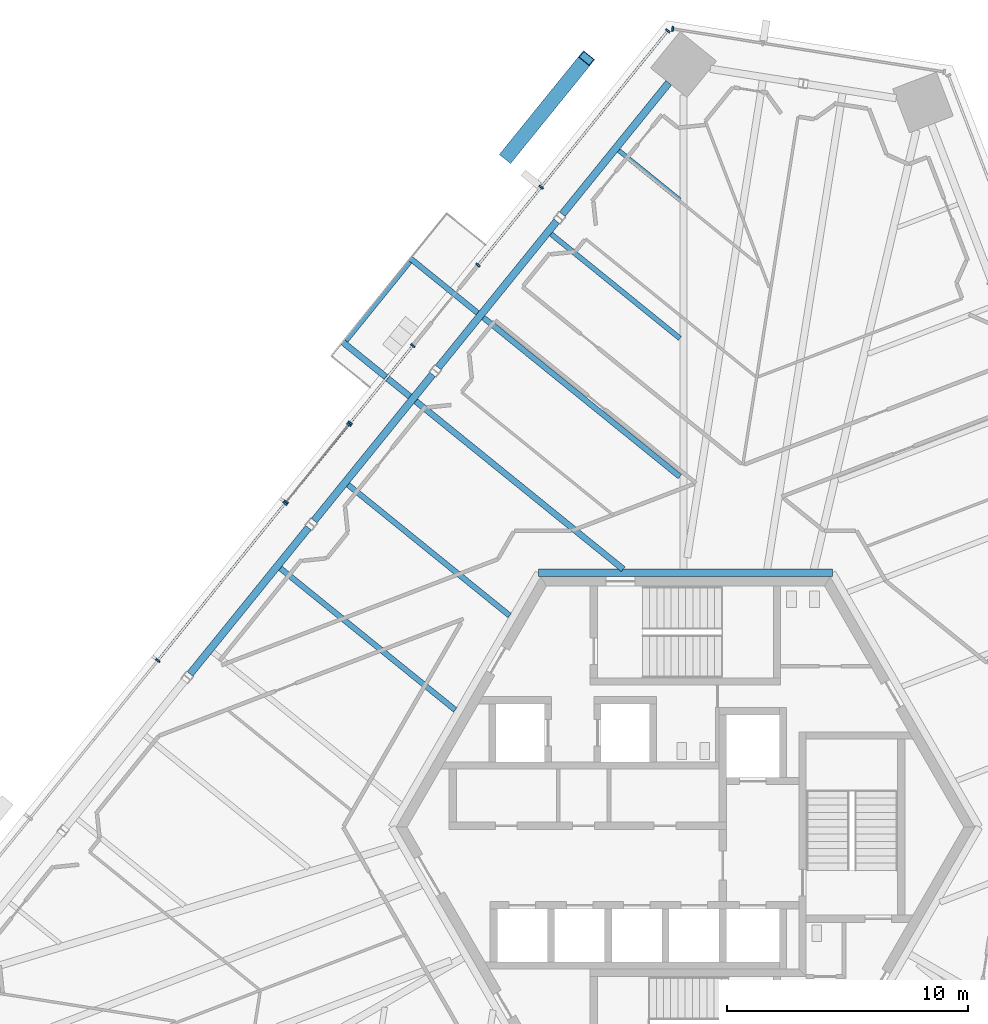
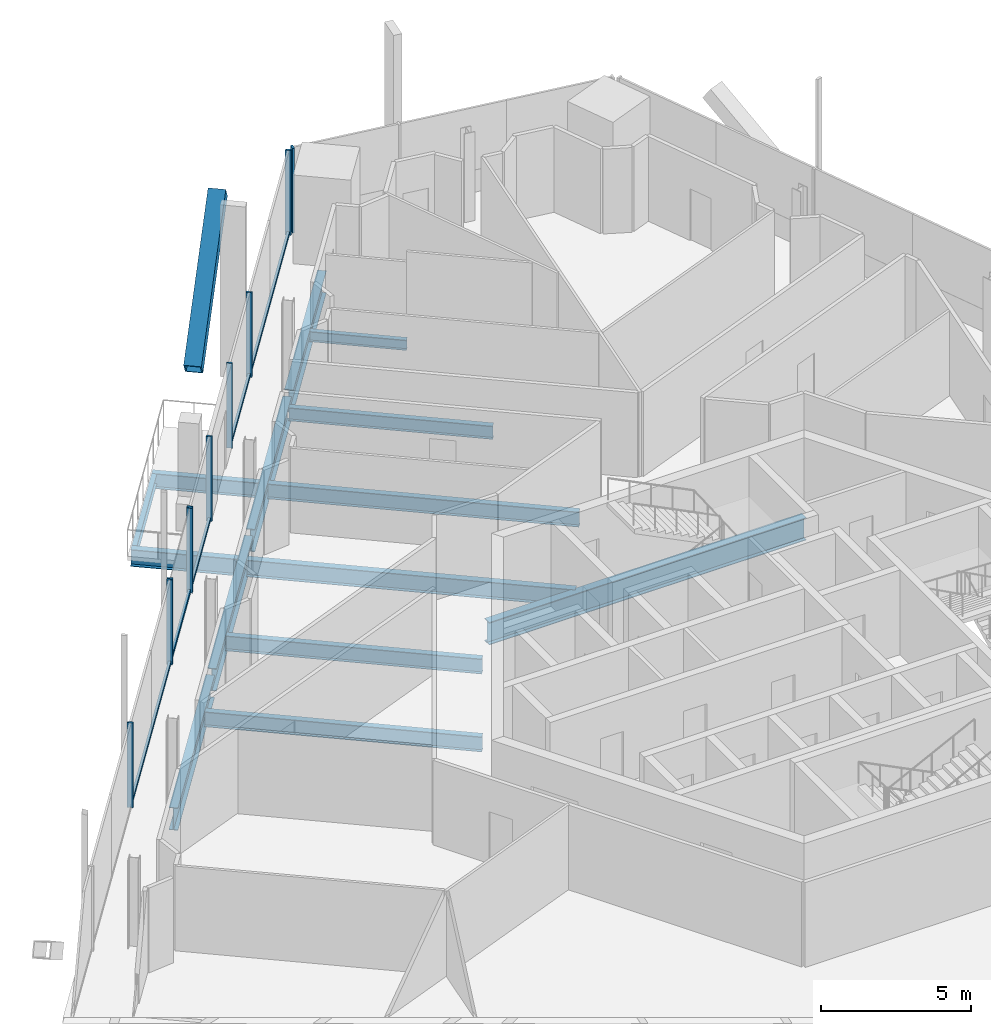
# One storey, part 8 of 23: 16 members, 14 beams, 5 elements without a shape of their own.
"""IFC4 building model written with IfcOpenShell, lengths in metres."""

from ifc_helpers import new_model, si_unit, direction, frame, origin, origin_2d, place, context, subcontext, project, spatial, rectangle, hollow_rectangle, i_section, extrude, source, transform, mapped, material, material_profile, profile_set, type_object, element, aggregate, save


model = new_model("IFC4")

# Units and contexts
model_context = context("Model", 3, precision=1e-05, world=origin(), true_north=direction((0.0, 1.0)))
body_context = subcontext(model_context, "Body", "Model", "MODEL_VIEW")
ifc_project = project(units=[si_unit("LENGTHUNIT", "METRE"), si_unit("AREAUNIT", "SQUARE_METRE"), si_unit("VOLUMEUNIT", "CUBIC_METRE"), si_unit("PLANEANGLEUNIT", "RADIAN"), si_unit("MASSUNIT", "GRAM", prefix="KILO")], contexts=[model_context])

# Site, building, storey
site_placement = place(None, origin())
site = spatial("IfcSite", under=ifc_project, at=site_placement, CompositionType="ELEMENT")
building_placement = place(site_placement, origin())
building = spatial("IfcBuilding", under=site, at=building_placement, Name="Triune Harvest Tower", CompositionType="ELEMENT")
storey_placement = place(building_placement, frame((0.0, 0.0, 167.699951171875)))
storey = spatial("IfcBuildingStorey", under=building, at=storey_placement, Name="L43", CompositionType="ELEMENT", Elevation=167.699951171875)

# Beams
ifc_material_1 = material(Name="Steel ASTM A992 Gr 50", Category="steel")
ifc_material_profile_1 = material_profile(ifc_material_1, i_section(OverallWidth=0.3046875, OverallDepth=0.914306640625, WebThickness=0.0166015625, FlangeThickness=0.02587890625, at=origin_2d()), Name="W36x160")
ifc_profile_set_1 = profile_set([ifc_material_profile_1], Name="Steel ASTM A992 Gr 50")
beam_type_1 = type_object("IfcBeamType", Name="CG-1 Core ring girder W36x160", PredefinedType="BEAM", material=ifc_profile_set_1)
shared_shape_1 = source(origin(), body_context, "Body", "SweptSolid", [
    extrude(i_section(OverallWidth=0.3046875, OverallDepth=0.914306640625, WebThickness=0.0166015625, FlangeThickness=0.02587890625, at=origin_2d()), origin(), (0.0, 0.0, 1.0), 12.17578125),
])
beam_1_placement = place(storey_placement, frame((6.087890625, 10.544677734375, -0.6171875), z_axis=(-1.0, 0.0, 0.0), x_axis=(0.0, -1.0, 0.0)))
element("IfcBeam", 1, at=beam_1_placement, inside=storey, type_object=beam_type_1, Name="beam/L43/CG2", PredefinedType="BEAM", context=body_context, shape_type="MappedRepresentation", body=[
    mapped(shared_shape_1, transform((0.0, 0.0, 0.0), scale=1.0)),
])
ifc_material_2 = material(Name="Steel ASTM A992 Gr 50", Category="steel")
ifc_material_profile_2 = material_profile(ifc_material_2, i_section(OverallWidth=0.3046875, OverallDepth=0.914306640625, WebThickness=0.0166015625, FlangeThickness=0.02587890625, at=origin_2d()), Name="W36x160")
ifc_profile_set_2 = profile_set([ifc_material_profile_2], Name="Steel ASTM A992 Gr 50")
beam_type_2 = type_object("IfcBeamType", Name="SB-1 Spandrel beam W36x160", PredefinedType="SPANDREL", material=ifc_profile_set_2)
shared_shape_2 = source(origin(), body_context, "Body", "SweptSolid", [
    extrude(i_section(OverallWidth=0.3046875, OverallDepth=0.914306640625, WebThickness=0.0166015625, FlangeThickness=0.02587890625, at=origin_2d()), origin(), (0.0, 0.0, 1.0), 7.013427734375),
])
beam_2_placement = place(storey_placement, frame((-0.69287109375, 30.8642578125, -0.6171875), z_axis=(-0.629311381255, -0.777153257358, 0.0), x_axis=(0.777153257358, -0.629311381255, 0.0)))
element("IfcBeam", 2, at=beam_2_placement, inside=storey, type_object=beam_type_2, Name="beam/L43/SB9", PredefinedType="SPANDREL", context=body_context, shape_type="MappedRepresentation", body=[
    mapped(shared_shape_2, transform((0.0, 0.0, 0.0), scale=1.0)),
])
shared_shape_3 = source(origin(), body_context, "Body", "SweptSolid", [
    extrude(i_section(OverallWidth=0.3046875, OverallDepth=0.914306640625, WebThickness=0.0166015625, FlangeThickness=0.02587890625, at=origin_2d()), origin(), (0.0, 0.0, 1.0), 7.801513671875),
])
for number, where, z_axis, x_axis, name in (
    (3, (-5.34130859375, 25.12353515625, -0.6171875), (-0.629351256413, -0.777120966163, 0.0), (0.777120966163, -0.629351256413, 0.0), "beam/L43/SB10"),
    (4, (-10.486083984375, 18.7705078125, -0.6171875), (-0.629317051779, -0.777148665533, 0.0), (0.777148665533, -0.629317051779, 0.0), "beam/L43/SB11"),
    (5, (-15.630859375, 12.417236328125, -0.6171875), (-0.629317051779, -0.777148665533, 0.0), (0.777148665533, -0.629317051779, 0.0), "beam/L43/SB12"),
):
    element("IfcBeam", number, at=place(storey_placement, frame(where, z_axis=z_axis, x_axis=x_axis)), inside=storey, type_object=beam_type_2, Name=name, PredefinedType="SPANDREL", context=body_context, shape_type="MappedRepresentation", body=[
        mapped(shared_shape_3, transform((0.0, 0.0, 0.0), scale=1.0)),
    ])
ifc_material_3 = material(Name="Steel ASTM A992 Gr 50", Category="steel")
ifc_material_profile_3 = material_profile(ifc_material_3, i_section(OverallWidth=0.22900390625, OverallDepth=0.612060546875, WebThickness=0.011962890625, FlangeThickness=0.01953125, at=origin_2d()), Name="W24x84")
ifc_profile_set_3 = profile_set([ifc_material_profile_3], Name="Steel ASTM A992 Gr 50")
beam_type_3 = type_object("IfcBeamType", Name="JT-3 Floor joist W24x84", PredefinedType="JOIST", material=ifc_profile_set_3)
shared_shape_4 = source(origin(), body_context, "Body", "SweptSolid", [
    extrude(i_section(OverallWidth=0.22900390625, OverallDepth=0.612060546875, WebThickness=0.011962890625, FlangeThickness=0.01953125, at=origin_2d()), origin(), (0.0, 0.0, 1.0), 10.482666015625),
])
beam_3_placement = place(storey_placement, frame((-8.37939453125, 21.1298828125, -0.466064453125), z_axis=(0.777144521909, -0.62932216874, 0.0), x_axis=(0.62932216874, 0.777144521909, 0.0)))
element("IfcBeam", 6, at=beam_3_placement, inside=storey, type_object=beam_type_3, Name="beam/L43/JT15", PredefinedType="JOIST", context=body_context, shape_type="MappedRepresentation", body=[
    mapped(shared_shape_4, transform((0.0, 0.0, 0.0), scale=1.0)),
])
ifc_material_4 = material(Name="Steel ASTM A992 Gr 50", Category="steel")
ifc_material_profile_4 = material_profile(ifc_material_4, i_section(OverallWidth=0.180908203125, OverallDepth=0.41650390625, WebThickness=0.010986328125, FlangeThickness=0.01806640625, at=origin_2d()), Name="W16x57")
ifc_profile_set_4 = profile_set([ifc_material_profile_4], Name="Steel ASTM A992 Gr 50")
beam_type_4 = type_object("IfcBeamType", Name="JT-1 Floor joist W16x57", PredefinedType="JOIST", material=ifc_profile_set_4)
shared_shape_5 = source(origin(), body_context, "Body", "SweptSolid", [
    extrude(i_section(OverallWidth=0.180908203125, OverallDepth=0.41650390625, WebThickness=0.010986328125, FlangeThickness=0.01806640625, at=origin_2d()), origin(), (0.0, 0.0, 1.0), 3.2607421875),
])
beam_4_placement = place(storey_placement, frame((-2.76708984375, 28.060546875, -0.3681640625), z_axis=(0.777166403411, -0.6292951465, 0.0), x_axis=(0.6292951465, 0.777166403411, 0.0)))
element("IfcBeam", 7, at=beam_4_placement, inside=storey, type_object=beam_type_4, Name="beam/L43/JT13", PredefinedType="JOIST", context=body_context, shape_type="MappedRepresentation", body=[
    mapped(shared_shape_5, transform((0.0, 0.0, 0.0), scale=1.0)),
])
ifc_material_5 = material(Name="Steel ASTM A992 Gr 50", Category="steel")
ifc_material_profile_5 = material_profile(ifc_material_5, i_section(OverallWidth=0.2099609375, OverallDepth=0.535888671875, WebThickness=0.010986328125, FlangeThickness=0.017333984375, at=origin_2d()), Name="W21x68")
ifc_profile_set_5 = profile_set([ifc_material_profile_5], Name="Steel ASTM A992 Gr 50")
beam_type_5 = type_object("IfcBeamType", Name="JT-2 Floor joist W21x68", PredefinedType="JOIST", material=ifc_profile_set_5)
shared_shape_6 = source(origin(), body_context, "Body", "SweptSolid", [
    extrude(i_section(OverallWidth=0.2099609375, OverallDepth=0.535888671875, WebThickness=0.010986328125, FlangeThickness=0.017333984375, at=origin_2d()), origin(), (0.0, 0.0, 1.0), 6.87158203125),
])
beam_5_placement = place(storey_placement, frame((-5.572998046875, 24.59521484375, -0.427978515625), z_axis=(0.777135642445, -0.629333133755, 0.0), x_axis=(0.629333133755, 0.777135642445, 0.0)))
element("IfcBeam", 8, at=beam_5_placement, inside=storey, type_object=beam_type_5, Name="beam/L43/JT14", PredefinedType="JOIST", context=body_context, shape_type="MappedRepresentation", body=[
    mapped(shared_shape_6, transform((0.0, 0.0, 0.0), scale=1.0)),
])
ifc_material_6 = material(Name="Steel ASTM A992 Gr 50", Category="steel")
ifc_material_profile_6 = material_profile(ifc_material_6, i_section(OverallWidth=0.253662109375, OverallDepth=0.683349609375, WebThickness=0.012451171875, FlangeThickness=0.01904296875, at=origin_2d()), Name="W27x94")
ifc_profile_set_6 = profile_set([ifc_material_profile_6], Name="Steel ASTM A992 Gr 50")
beam_type_6 = type_object("IfcBeamType", Name="JT-4 Floor joist W27x94", PredefinedType="JOIST", material=ifc_profile_set_6)
shared_shape_7 = source(origin(), body_context, "Body", "SweptSolid", [
    extrude(i_section(OverallWidth=0.253662109375, OverallDepth=0.683349609375, WebThickness=0.012451171875, FlangeThickness=0.01904296875, at=origin_2d()), origin(), (0.0, 0.0, 1.0), 11.0712890625),
])
beam_6_placement = place(storey_placement, frame((-11.185546875, 17.66455078125, -0.50146484375), z_axis=(0.777139586487, -0.6293282634, 0.0), x_axis=(0.6293282634, 0.777139586487, 0.0)))
element("IfcBeam", 9, at=beam_6_placement, inside=storey, type_object=beam_type_6, Name="beam/L43/JT16", PredefinedType="JOIST", context=body_context, shape_type="MappedRepresentation", body=[
    mapped(shared_shape_7, transform((0.0, 0.0, 0.0), scale=1.0)),
])
shared_shape_8 = source(origin(), body_context, "Body", "SweptSolid", [
    extrude(i_section(OverallWidth=0.22900390625, OverallDepth=0.612060546875, WebThickness=0.011962890625, FlangeThickness=0.01953125, at=origin_2d()), origin(), (0.0, 0.0, 1.0), 8.6259765625),
])
beam_7_placement = place(storey_placement, frame((-13.99169921875, 14.19921875, -0.466064453125), z_axis=(0.777146653343, -0.629319536641, 0.0), x_axis=(0.629319536641, 0.777146653343, 0.0)))
element("IfcBeam", 10, at=beam_7_placement, inside=storey, type_object=beam_type_3, Name="beam/L43/JT17", PredefinedType="JOIST", context=body_context, shape_type="MappedRepresentation", body=[
    mapped(shared_shape_8, transform((0.0, 0.0, 0.0), scale=1.0)),
])
shared_shape_9 = source(origin(), body_context, "Body", "SweptSolid", [
    extrude(i_section(OverallWidth=0.22900390625, OverallDepth=0.612060546875, WebThickness=0.011962890625, FlangeThickness=0.01953125, at=origin_2d()), origin(), (0.0, 0.0, 1.0), 9.33251953125),
])
beam_8_placement = place(storey_placement, frame((-16.798095703125, 10.73388671875, -0.466064453125), z_axis=(0.777149214732, -0.629316373568, 0.0), x_axis=(0.629316373568, 0.777149214732, 0.0)))
element("IfcBeam", 11, at=beam_8_placement, inside=storey, type_object=beam_type_3, Name="beam/L43/JT18", PredefinedType="JOIST", context=body_context, shape_type="MappedRepresentation", body=[
    mapped(shared_shape_9, transform((0.0, 0.0, 0.0), scale=1.0)),
])

# Member
ifc_material_7 = material(Name="Steel ASTM A572 Gr 50", Category="steel")
ifc_material_profile_7 = material_profile(ifc_material_7, hollow_rectangle(XDim=0.60009765625, YDim=0.60009765625, WallThickness=0.0400390625, at=origin_2d()), Name="Box 600x600x40")
ifc_profile_set_7 = profile_set([ifc_material_profile_7], Name="Steel ASTM A572 Gr 50")
member_type_1 = type_object("IfcMemberType", Name="BR-2 Brace Box 600x600x40", PredefinedType="BRACE", material=ifc_profile_set_7)
shared_shape_10 = source(origin(), body_context, "Body", "SweptSolid", [
    extrude(hollow_rectangle(XDim=0.60009765625, YDim=0.60009765625, WallThickness=0.0400390625, at=origin_2d()), origin(), (0.0, 0.0, 1.0), 6.3291015625),
])
member_1_placement = place(storey_placement, frame((-7.377197265625, 27.83544921875, 0.0), z_axis=(0.517590508098, 0.639176831062, 0.568817233002), x_axis=(-0.777148746815, 0.629316951404, 0.0)))
element("IfcMember", 12, at=member_1_placement, inside=storey, type_object=member_type_1, Name="brace/B4-F3/d2/9", PredefinedType="BRACE", context=body_context, shape_type="MappedRepresentation", body=[
    mapped(shared_shape_10, transform((0.0, 0.0, 0.0), scale=1.0)),
])

# Curtain wall, member
ifc_material_8 = material(Name="Aluminium bronze anodised", Category="aluminium")
curtain_wall_type_1 = type_object("IfcCurtainWallType", Name="CW-7 Tower stick curtain wall with insulated spandrel infill", PredefinedType="NOTDEFINED", material=ifc_material_8)
curtain_wall_1_placement = place(storey_placement, origin())
curtain_wall_1 = element("IfcCurtainWall", 13, at=curtain_wall_1_placement, inside=storey, type_object=curtain_wall_type_1, Name="CW-7 B4-F2 L43 run 1")
ifc_material_9 = material(Name="Aluminium bronze anodised", Category="aluminium")
ifc_material_profile_8 = material_profile(ifc_material_9, rectangle(XDim=0.199951171875, YDim=0.074951171875, at=origin_2d()), Name="MU-1 mullion 75 x 200")
ifc_profile_set_8 = profile_set([ifc_material_profile_8], Name="Aluminium bronze anodised")
member_type_2 = type_object("IfcMemberType", Name="MU-1 mullion 75 x 200", PredefinedType="MULLION", material=ifc_profile_set_8)
shared_shape_11 = source(origin(), body_context, "Body", "SweptSolid", [
    extrude(rectangle(XDim=0.199951171875, YDim=0.074951171875, at=origin_2d()), origin(), (0.0, 0.0, 1.0), 3.43994140625),
])
member_2_placement = place(storey_placement, frame((-0.528076171875, 33.09912109375, 0.0), z_axis=(0.0, 0.0, 1.0), x_axis=(-0.156432728322, -0.987688615663, 0.0)))
member_2 = element("IfcMember", 14, at=member_2_placement, type_object=member_type_2, Name="CW-7 mullion B4-F2 1.4", PredefinedType="MULLION", context=body_context, shape_type="MappedRepresentation", body=[
    mapped(shared_shape_11, transform((0.0, 0.0, 0.0), scale=1.0)),
])
aggregate(curtain_wall_1, [member_2])

# Curtain wall, members
ifc_material_10 = material(Name="Aluminium bronze anodised", Category="aluminium")
curtain_wall_type_2 = type_object("IfcCurtainWallType", Name="CW-10 Balcony window wall with insulated spandrel infill", PredefinedType="NOTDEFINED", material=ifc_material_10)
curtain_wall_2_placement = place(storey_placement, origin())
curtain_wall_2 = element("IfcCurtainWall", 15, at=curtain_wall_2_placement, inside=storey, type_object=curtain_wall_type_2, Name="CW-10 B4-F3 L43 run 1")
ifc_material_11 = material(Name="Aluminium bronze anodised", Category="aluminium")
ifc_material_profile_9 = material_profile(ifc_material_11, rectangle(XDim=0.199951171875, YDim=0.074951171875, at=origin_2d()), Name="MU-6 mullion 75 x 200")
ifc_profile_set_9 = profile_set([ifc_material_profile_9], Name="Aluminium bronze anodised")
member_type_3 = type_object("IfcMemberType", Name="MU-6 mullion 75 x 200", PredefinedType="MULLION", material=ifc_profile_set_9)
shared_shape_12 = source(origin(), body_context, "Body", "SweptSolid", [
    extrude(rectangle(XDim=0.199951171875, YDim=0.074951171875, at=origin_2d()), origin(), (0.0, 0.0, 1.0), 3.43994140625),
])
member_3_placement = place(storey_placement, frame((-0.734130859375, 33.02001953125, 0.0), z_axis=(0.0, 0.0, 1.0), x_axis=(0.777145096577, -0.629321459087, 0.0)))
member_3 = element("IfcMember", 16, at=member_3_placement, type_object=member_type_3, Name="CW-10 mullion B4-F3 1.1", PredefinedType="MULLION", context=body_context, shape_type="MappedRepresentation", body=[
    mapped(shared_shape_12, transform((0.0, 0.0, 0.0), scale=1.0)),
])
member_4_placement = place(storey_placement, frame((-5.985595703125, 26.534912109375, 0.0), z_axis=(0.0, 0.0, 1.0), x_axis=(0.777145096577, -0.629321459087, 0.0)))
member_4 = element("IfcMember", 17, at=member_4_placement, type_object=member_type_3, Name="CW-10 mullion B4-F3 1.3", PredefinedType="MULLION", context=body_context, shape_type="MappedRepresentation", body=[
    mapped(shared_shape_12, transform((0.0, 0.0, 0.0), scale=1.0)),
])
member_5_placement = place(storey_placement, frame((-8.599609375, 23.306884765625, 0.0), z_axis=(0.0, 0.0, 1.0), x_axis=(0.777145096577, -0.629321459087, 0.0)))
member_5 = element("IfcMember", 18, at=member_5_placement, type_object=member_type_3, Name="CW-10 mullion B4-F3 1.4", PredefinedType="MULLION", context=body_context, shape_type="MappedRepresentation", body=[
    mapped(shared_shape_12, transform((0.0, 0.0, 0.0), scale=1.0)),
])

curtain_wall_3_placement = place(storey_placement, origin())
curtain_wall_3 = element("IfcCurtainWall", 19, at=curtain_wall_3_placement, inside=storey, type_object=curtain_wall_type_2, Name="CW-10 B4-F3 L43 run 2")
member_6_placement = place(storey_placement, frame((-11.30322265625, 19.968017578125, 0.0), z_axis=(0.0, 0.0, 1.0), x_axis=(0.777139389365, -0.629328506821, 0.0)))
member_6 = element("IfcMember", 20, at=member_6_placement, type_object=member_type_3, Name="CW-10 mullion B4-F3 2.1", PredefinedType="MULLION", context=body_context, shape_type="MappedRepresentation", body=[
    mapped(shared_shape_12, transform((0.0, 0.0, 0.0), scale=1.0)),
])
member_7_placement = place(storey_placement, frame((-13.905517578125, 16.754638671875, 0.0), z_axis=(0.0, 0.0, 1.0), x_axis=(0.777139389365, -0.629328506821, 0.0)))
member_7 = element("IfcMember", 21, at=member_7_placement, type_object=member_type_3, Name="CW-10 mullion B4-F3 2.2", PredefinedType="MULLION", context=body_context, shape_type="MappedRepresentation", body=[
    mapped(shared_shape_12, transform((0.0, 0.0, 0.0), scale=1.0)),
])

ifc_material_12 = material(Name="Aluminium bronze anodised", Category="aluminium")
curtain_wall_type_3 = type_object("IfcCurtainWallType", Name="CW-6 Balcony window wall", PredefinedType="NOTDEFINED", material=ifc_material_12)
curtain_wall_4_placement = place(storey_placement, origin())
curtain_wall_4 = element("IfcCurtainWall", 22, at=curtain_wall_4_placement, inside=storey, type_object=curtain_wall_type_3, Name="CW-6 B4-F3 L43 run 1002")
member_8_placement = place(storey_placement, frame((-13.95263671875, 16.696533203125, 0.0), z_axis=(0.0, 0.0, 1.0), x_axis=(0.777154142511, -0.629310288155, 0.0)))
member_8 = element("IfcMember", 23, at=member_8_placement, type_object=member_type_3, Name="CW-6 mullion B4-F3 1002.1", PredefinedType="MULLION", context=body_context, shape_type="MappedRepresentation", body=[
    mapped(shared_shape_12, transform((0.0, 0.0, 0.0), scale=1.0)),
])
member_9_placement = place(storey_placement, frame((-16.5546875, 13.483154296875, 0.0), z_axis=(0.0, 0.0, 1.0), x_axis=(0.777154142511, -0.629310288155, 0.0)))
member_9 = element("IfcMember", 24, at=member_9_placement, type_object=member_type_3, Name="CW-6 mullion B4-F3 1002.2", PredefinedType="MULLION", context=body_context, shape_type="MappedRepresentation", body=[
    mapped(shared_shape_12, transform((0.0, 0.0, 0.0), scale=1.0)),
])

curtain_wall_5_placement = place(storey_placement, origin())
curtain_wall_5 = element("IfcCurtainWall", 25, at=curtain_wall_5_placement, inside=storey, type_object=curtain_wall_type_2, Name="CW-10 B4-F3 L43 run 2002")
member_10_placement = place(storey_placement, frame((-16.60205078125, 13.4248046875, 0.0), z_axis=(0.0, 0.0, 1.0), x_axis=(0.777144540108, -0.629322146266, 0.0)))
member_10 = element("IfcMember", 26, at=member_10_placement, type_object=member_type_3, Name="CW-10 mullion B4-F3 2002.1", PredefinedType="MULLION", context=body_context, shape_type="MappedRepresentation", body=[
    mapped(shared_shape_12, transform((0.0, 0.0, 0.0), scale=1.0)),
])
member_11_placement = place(storey_placement, frame((-21.877197265625, 6.910400390625, 0.0), z_axis=(0.0, 0.0, 1.0), x_axis=(0.777144540108, -0.629322146266, 0.0)))
member_11 = element("IfcMember", 27, at=member_11_placement, type_object=member_type_3, Name="CW-10 mullion B4-F3 2002.3", PredefinedType="MULLION", context=body_context, shape_type="MappedRepresentation", body=[
    mapped(shared_shape_12, transform((0.0, 0.0, 0.0), scale=1.0)),
])

# Beams
ifc_material_13 = material(Name="Steel ASTM A992 Gr 50", Category="steel")
ifc_material_profile_10 = material_profile(ifc_material_13, i_section(OverallWidth=0.253662109375, OverallDepth=0.683349609375, WebThickness=0.012451171875, FlangeThickness=0.01904296875, at=origin_2d()), Name="W27x94")
ifc_profile_set_10 = profile_set([ifc_material_profile_10], Name="Steel ASTM A992 Gr 50")
beam_type_7 = type_object("IfcBeamType", Name="BJ-4 Balcony cantilever joist W27x94", PredefinedType="JOIST", material=ifc_profile_set_10)
shared_shape_13 = source(origin(), body_context, "Body", "SweptSolid", [
    extrude(i_section(OverallWidth=0.253662109375, OverallDepth=0.683349609375, WebThickness=0.012451171875, FlangeThickness=0.01904296875, at=origin_2d()), origin(), (0.0, 0.0, 1.0), 3.59765625),
])
beam_9_placement = place(storey_placement, frame((-11.422607421875, 17.856201171875, -0.50146484375), z_axis=(-0.777134237383, 0.629334868799, 0.0), x_axis=(-0.629334868799, -0.777134237383, 0.0)))
element("IfcBeam", 28, at=beam_9_placement, inside=storey, type_object=beam_type_7, Name="Balcony cantilever joist B4-F3 L43.4b", PredefinedType="JOIST", context=body_context, shape_type="MappedRepresentation", body=[
    mapped(shared_shape_13, transform((0.0, 0.0, 0.0), scale=1.0)),
])
ifc_material_14 = material(Name="Steel ASTM A992 Gr 50", Category="steel")
ifc_material_profile_11 = material_profile(ifc_material_14, i_section(OverallWidth=0.22900390625, OverallDepth=0.612060546875, WebThickness=0.011962890625, FlangeThickness=0.01953125, at=origin_2d()), Name="W24x84")
ifc_profile_set_11 = profile_set([ifc_material_profile_11], Name="Steel ASTM A992 Gr 50")
beam_type_8 = type_object("IfcBeamType", Name="BJ-3 Balcony cantilever joist W24x84", PredefinedType="JOIST", material=ifc_profile_set_11)
shared_shape_14 = source(origin(), body_context, "Body", "SweptSolid", [
    extrude(i_section(OverallWidth=0.22900390625, OverallDepth=0.612060546875, WebThickness=0.011962890625, FlangeThickness=0.01953125, at=origin_2d()), origin(), (0.0, 0.0, 1.0), 3.59765625),
])
beam_10_placement = place(storey_placement, frame((-8.6162109375, 21.32177734375, -0.466064453125), z_axis=(-0.777167426596, 0.629293882887, 0.0), x_axis=(-0.629293882887, -0.777167426596, 0.0)))
element("IfcBeam", 29, at=beam_10_placement, inside=storey, type_object=beam_type_8, Name="Balcony cantilever joist B4-F3 L43.4a", PredefinedType="JOIST", context=body_context, shape_type="MappedRepresentation", body=[
    mapped(shared_shape_14, transform((0.0, 0.0, 0.0), scale=1.0)),
])
ifc_material_15 = material(Name="Steel ASTM A992 Gr 50", Category="steel")
ifc_material_profile_12 = material_profile(ifc_material_15, i_section(OverallWidth=0.180908203125, OverallDepth=0.41650390625, WebThickness=0.010986328125, FlangeThickness=0.01806640625, at=origin_2d()), Name="W16x57")
ifc_profile_set_12 = profile_set([ifc_material_profile_12], Name="Steel ASTM A992 Gr 50")
beam_type_9 = type_object("IfcBeamType", Name="BE-1 balcony edge beam W16x57", PredefinedType="BEAM", material=ifc_profile_set_12)
shared_shape_15 = source(origin(), body_context, "Body", "SweptSolid", [
    extrude(i_section(OverallWidth=0.180908203125, OverallDepth=0.41650390625, WebThickness=0.010986328125, FlangeThickness=0.01806640625, at=origin_2d()), origin(), (0.0, 0.0, 1.0), 4.2177734375),
])
beam_11_placement = place(storey_placement, frame((-14.068359375, 20.162109375, -0.3681640625), z_axis=(0.629314782512, 0.777150503128, 0.0), x_axis=(-0.777150503128, 0.629314782512, 0.0)))
element("IfcBeam", 30, at=beam_11_placement, inside=storey, type_object=beam_type_9, Name="Balcony edge beam B4-F3 L43.4", PredefinedType="BEAM", context=body_context, shape_type="MappedRepresentation", body=[
    mapped(shared_shape_15, transform((0.0, 0.0, 0.0), scale=1.0)),
])

# Member
ifc_material_16 = material(Name="Aluminium bronze anodised", Category="aluminium")
ifc_material_profile_13 = material_profile(ifc_material_16, rectangle(XDim=0.090087890625, YDim=0.14990234375, at=origin_2d()), Name="TR-6 transom 90 x 150")
ifc_profile_set_13 = profile_set([ifc_material_profile_13], Name="Aluminium bronze anodised")
member_type_4 = type_object("IfcMemberType", Name="TR-6 transom 90 x 150", PredefinedType="USERDEFINED", material=ifc_profile_set_13)
shared_shape_16 = source(origin(), body_context, "Body", "SweptSolid", [
    extrude(rectangle(XDim=0.090087890625, YDim=0.14990234375, at=origin_2d()), origin(), (0.0, 0.0, 1.0), 8.30712890625),
])
member_12_placement = place(storey_placement, frame((-16.62548828125, 13.3955078125, 0.074951171875), z_axis=(-0.629336025003, -0.777133301071, 0.0), x_axis=(0.777133301071, -0.629336025003, 0.0)))
member_12 = element("IfcMember", 31, at=member_12_placement, type_object=member_type_4, Name="CW-10 transom B4-F3 2002.1", ObjectType="TRANSOM", PredefinedType="USERDEFINED", context=body_context, shape_type="MappedRepresentation", body=[
    mapped(shared_shape_16, transform((0.0, 0.0, 0.0), scale=1.0)),
])

aggregate(curtain_wall_5, [member_10, member_11, member_12])

shared_shape_17 = source(origin(), body_context, "Body", "SweptSolid", [
    extrude(rectangle(XDim=0.090087890625, YDim=0.14990234375, at=origin_2d()), origin(), (0.0, 0.0, 1.0), 8.269775390625),
])
member_13_placement = place(storey_placement, frame((-0.7578125, 32.99072265625, 0.074951171875), z_axis=(-0.62932476138, -0.777142422413, 0.0), x_axis=(0.777142422413, -0.62932476138, 0.0)))
member_13 = element("IfcMember", 32, at=member_13_placement, type_object=member_type_4, Name="CW-10 transom B4-F3 1.1", ObjectType="TRANSOM", PredefinedType="USERDEFINED", context=body_context, shape_type="MappedRepresentation", body=[
    mapped(shared_shape_17, transform((0.0, 0.0, 0.0), scale=1.0)),
])

shared_shape_18 = source(origin(), body_context, "Body", "SweptSolid", [
    extrude(rectangle(XDim=0.090087890625, YDim=0.14990234375, at=origin_2d()), origin(), (0.0, 0.0, 1.0), 4.07861328125),
])
member_14_placement = place(storey_placement, frame((-6.00927734375, 26.505615234375, 0.074951171875), z_axis=(-0.629341137921, -0.777129160513, 0.0), x_axis=(0.777129160513, -0.629341137921, 0.0)))
member_14 = element("IfcMember", 33, at=member_14_placement, type_object=member_type_4, Name="CW-10 transom B4-F3 1.2", ObjectType="TRANSOM", PredefinedType="USERDEFINED", context=body_context, shape_type="MappedRepresentation", body=[
    mapped(shared_shape_18, transform((0.0, 0.0, 0.0), scale=1.0)),
])

aggregate(curtain_wall_2, [member_3, member_4, member_5, member_13, member_14])

shared_shape_19 = source(origin(), body_context, "Body", "SweptSolid", [
    extrude(rectangle(XDim=0.090087890625, YDim=0.14990234375, at=origin_2d()), origin(), (0.0, 0.0, 1.0), 4.059814453125),
])
member_15_placement = place(storey_placement, frame((-11.326904296875, 19.93896484375, 0.074951171875), z_axis=(-0.629326236283, -0.777141228044, 0.0), x_axis=(0.777141228044, -0.629326236283, 0.0)))
member_15 = element("IfcMember", 34, at=member_15_placement, type_object=member_type_4, Name="CW-10 transom B4-F3 2.1", ObjectType="TRANSOM", PredefinedType="USERDEFINED", context=body_context, shape_type="MappedRepresentation", body=[
    mapped(shared_shape_19, transform((0.0, 0.0, 0.0), scale=1.0)),
])

aggregate(curtain_wall_3, [member_6, member_7, member_15])

member_16_placement = place(storey_placement, frame((-13.976318359375, 16.667236328125, 0.074951171875), z_axis=(-0.629326236283, -0.777141228044, 0.0), x_axis=(0.777141228044, -0.629326236283, 0.0)))
member_16 = element("IfcMember", 35, at=member_16_placement, type_object=member_type_4, Name="CW-6 transom B4-F3 1002.1", ObjectType="TRANSOM", PredefinedType="USERDEFINED", context=body_context, shape_type="MappedRepresentation", body=[
    mapped(shared_shape_19, transform((0.0, 0.0, 0.0), scale=1.0)),
])

aggregate(curtain_wall_4, [member_8, member_9, member_16])

save(model, "model.ifc")
